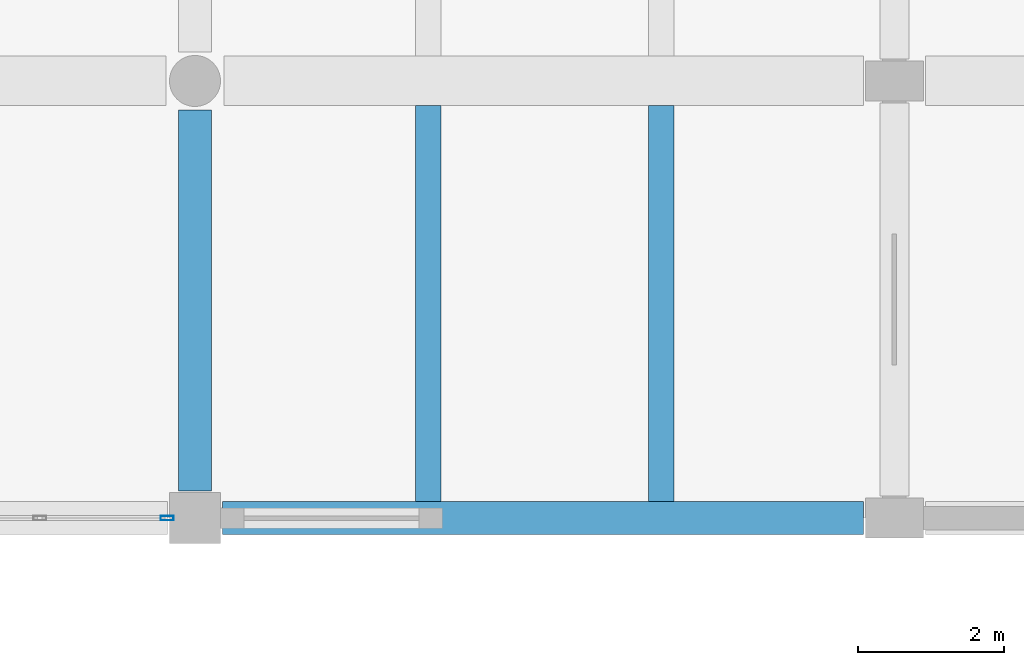
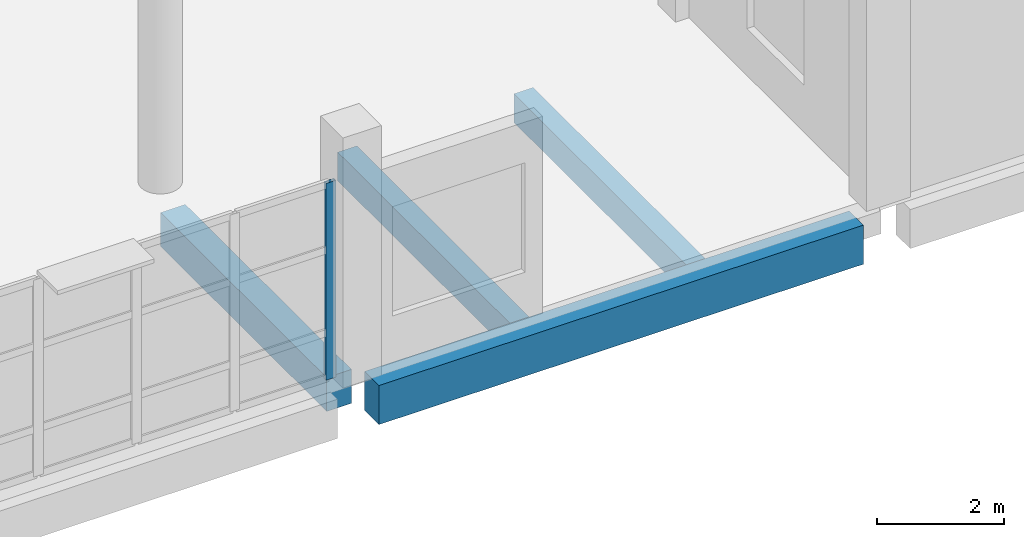
# One storey, part 50 of 91: 4 beams, 1 member, 1 element without a shape of its own.
"""IFC4 building model written with IfcOpenShell, lengths in metres."""

from ifc_helpers import new_model, si_unit, direction, frame, origin, origin_2d, place, context, subcontext, project, spatial, rectangle, hollow_rectangle, extrude, material, material_profile, profile_set, type_object, element, aggregate, save


model = new_model("IFC4")

# Units and contexts
model_context = context("Model", 3, precision=1e-05, world=origin(), true_north=direction((0.0, 1.0)))
body_context = subcontext(model_context, "Body", "Model", "MODEL_VIEW")
ifc_project = project(units=[si_unit("LENGTHUNIT", "METRE"), si_unit("AREAUNIT", "SQUARE_METRE"), si_unit("VOLUMEUNIT", "CUBIC_METRE"), si_unit("PLANEANGLEUNIT", "RADIAN"), si_unit("MASSUNIT", "GRAM", prefix="KILO")], contexts=[model_context])

# Site, building, storey
site_placement = place(None, origin())
site = spatial("IfcSite", under=ifc_project, at=site_placement, CompositionType="ELEMENT")
building_placement = place(site_placement, origin())
building = spatial("IfcBuilding", under=site, at=building_placement, Name="Pellamere Symphony Hall", CompositionType="ELEMENT")
storey_placement = place(building_placement, frame((0.0, 0.0, 5.39990234375)))
storey = spatial("IfcBuildingStorey", under=building, at=storey_placement, Name="L01", CompositionType="ELEMENT", Elevation=5.39990234375)

# Curtain wall, member
ifc_material_1 = material(Name="Thermally Broken Anodised Aluminium 6063-T6 Curtain Wall", Category="aluminium")
curtain_wall_type = type_object("IfcCurtainWallType", Name="Curtain Wall CW-02 (Winter-Garden South Concourse Curtain Wall)", PredefinedType="NOTDEFINED", material=ifc_material_1)
curtain_wall_placement = place(storey_placement, origin())
curtain_wall = element("IfcCurtainWall", 1, at=curtain_wall_placement, inside=storey, type_object=curtain_wall_type, Name="Winter-Garden South Curtain Wall (L01 Bay 11)", PredefinedType="NOTDEFINED")
ifc_material_2 = material(Name="Anodised Architectural Aluminium 6063-T6", Category="aluminium")
ifc_material_profile_1 = material_profile(ifc_material_2, hollow_rectangle(XDim=0.06494140625, YDim=0.179931640625, WallThickness=0.00390625, at=origin_2d()), Name="ALU-M65X180X4")
ifc_profile_set_1 = profile_set([ifc_material_profile_1], Name="Anodised Architectural Aluminium 6063-T6")
member_type = type_object("IfcMemberType", Name="Curtain Wall Mullion ML-02 ALU-M65X180X4", PredefinedType="MULLION", material=ifc_profile_set_1)
member_placement = place(storey_placement, frame((128.017578125, 18.0, 0.0), z_axis=(0.0, 0.0, 1.0), x_axis=(0.0, 1.0, 0.0)))
member = element("IfcMember", 2, at=member_placement, type_object=member_type, Name="CW2-076 crystal mullion 6", PredefinedType="MULLION", context=body_context, shape_type="SweptSolid", body=[
    extrude(hollow_rectangle(XDim=0.06494140625, YDim=0.179931640625, WallThickness=0.00390625, at=origin_2d()), origin(), (0.0, 0.0, 1.0), 3.780029296875),
])
aggregate(curtain_wall, [member])

# Beams
ifc_material_3 = material(Name="Concrete 40 MPa", Category="concrete")
ifc_material_profile_2 = material_profile(ifc_material_3, rectangle(XDim=0.449951171875, YDim=0.64990234375, at=origin_2d()), Name="RC 450x650")
ifc_profile_set_2 = profile_set([ifc_material_profile_2], Name="Concrete 40 MPa")
beam_type_1 = type_object("IfcBeamType", Name="RC CB-08 450x650", PredefinedType="BEAM", material=ifc_profile_set_2)
beam_1_placement = place(storey_placement, frame((128.39990234375, 18.375, -0.60498046875), z_axis=(0.0, 1.0, 0.0), x_axis=(-1.0, 0.0, 0.0)))
element("IfcBeam", 3, at=beam_1_placement, inside=storey, type_object=beam_type_1, Name="Girder CB-08-Y0835 (L01)", PredefinedType="BEAM", context=body_context, shape_type="SweptSolid", body=[
    extrude(rectangle(XDim=0.449951171875, YDim=0.64990234375, at=origin_2d()), origin(), (0.0, 0.0, 1.0), 5.22509765625),
])
ifc_material_4 = material(Name="Concrete 35 MPa", Category="concrete")
ifc_material_profile_3 = material_profile(ifc_material_4, rectangle(XDim=0.35009765625, YDim=0.550048828125, at=origin_2d()), Name="RC 350x550")
ifc_profile_set_3 = profile_set([ifc_material_profile_3], Name="Concrete 35 MPa")
beam_type_2 = type_object("IfcBeamType", Name="RC CB-10 350x550", PredefinedType="BEAM", material=ifc_profile_set_3)
for number, where, z_axis, x_axis, name in (
    (4, (131.60009765625, 18.22509765625, -0.56982421875), (0.0, 1.0, 0.0), (-1.0, 0.0, 0.0), "Secondary Floor Beam CB-10-A1602 (L01)"),
    (5, (134.800048828125, 18.22509765625, -0.56982421875), (0.0, 1.0, 0.0), (-1.0, 0.0, 0.0), "Secondary Floor Beam CB-10-B1602 (L01)"),
):
    element("IfcBeam", number, at=place(storey_placement, frame(where, z_axis=z_axis, x_axis=x_axis)), inside=storey, type_object=beam_type_2, Name=name, PredefinedType="BEAM", context=body_context, shape_type="SweptSolid", body=[
        extrude(rectangle(XDim=0.35009765625, YDim=0.550048828125, at=origin_2d()), origin(), (0.0, 0.0, 1.0), 5.434814453125),
    ])
ifc_material_profile_4 = material_profile(ifc_material_3, rectangle(XDim=0.449951171875, YDim=0.75, at=origin_2d()), Name="RC 450x750")
ifc_profile_set_4 = profile_set([ifc_material_profile_4], Name="Concrete 40 MPa")
beam_type_3 = type_object("IfcBeamType", Name="RC CB-12 450x750", PredefinedType="SPANDREL", material=ifc_profile_set_4)
beam_2_placement = place(storey_placement, frame((128.77490234375, 18.0, -0.65478515625), z_axis=(1.0, 0.0, 0.0), x_axis=(0.0, 1.0, 0.0)))
element("IfcBeam", 6, at=beam_2_placement, inside=storey, type_object=beam_type_3, Name="Girder CB-12-X0558 (L01)", PredefinedType="SPANDREL", context=body_context, shape_type="SweptSolid", body=[
    extrude(rectangle(XDim=0.449951171875, YDim=0.75, at=origin_2d()), origin(), (0.0, 0.0, 1.0), 8.800048828125),
])

save(model, "model.ifc")
